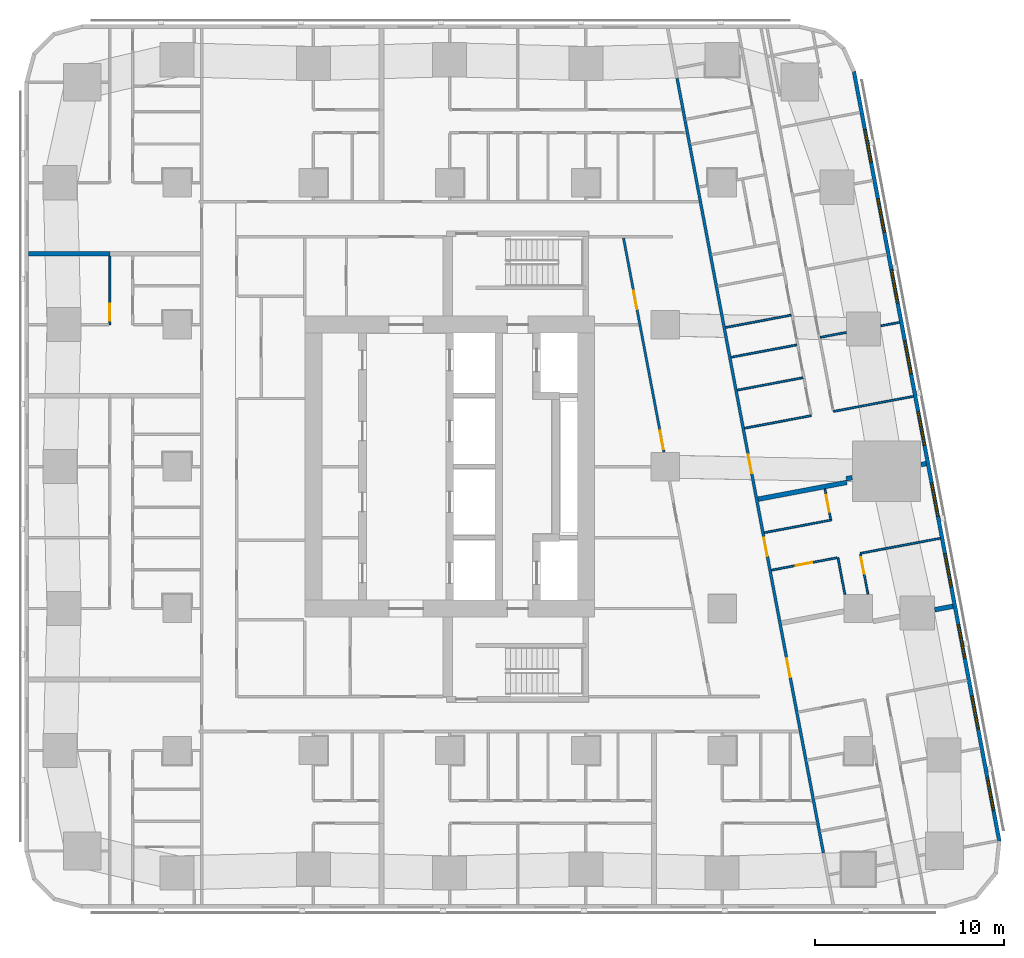
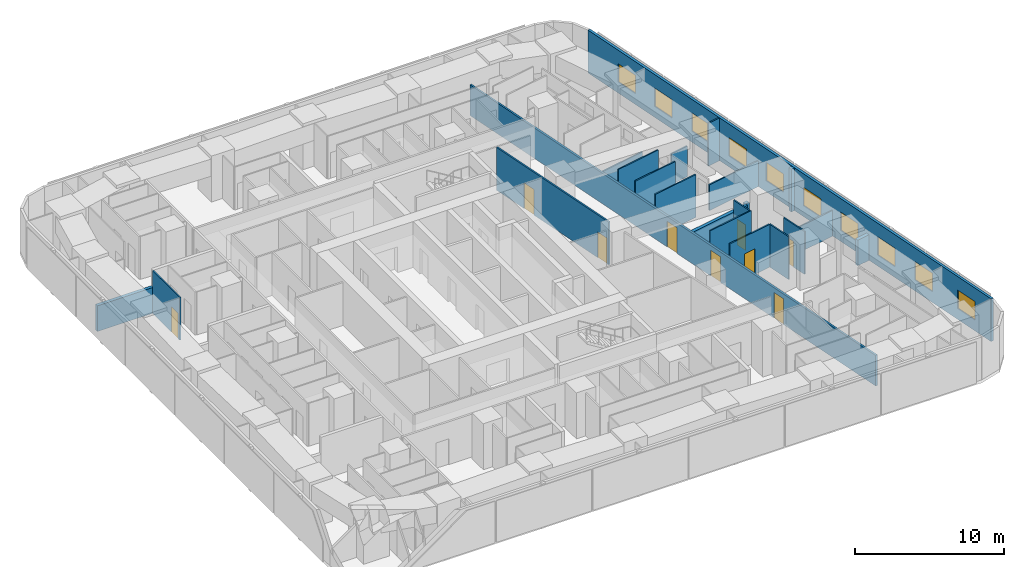
# One storey, part 8 of 15: 22 walls, 10 windows, 9 doors, 19 openings.
"""IFC4 building model written with IfcOpenShell, lengths in metres."""

import ifcopenshell
import ifcopenshell.guid

model = None  # the IFC model being written
_history = None  # IfcOwnerHistory: only IFC2X3 demands one
_inside = {}  # id of a spatial element -> (the spatial element, [elements in it])
_under = {}  # id of a project, library or spatial element -> (it, [spatial elements below it])
_declared = {}  # id of a project -> (the project, [libraries it declares])
_typed = {}  # id of a type object -> (the type object, [elements of that type])
_made_of = {}  # id of a material, layer set ... -> (it, [elements and type objects made of it])


def new_model(schema):
    """Start an empty IFC model of exactly this schema.

    Asked for "IFC4X3", IfcOpenShell would pick the latest addendum, in which some entities
    have other attributes; the version numbers below select the first issue.
    IFC2X3 requires an IfcOwnerHistory on every rooted entity: one is made here for all.
    """
    global model, _history
    if schema == "IFC4X3":
        model = ifcopenshell.file(schema_version=(4, 3, 0, 0))
    else:
        model = ifcopenshell.file(schema=schema)
    _inside.clear()
    _under.clear()
    _declared.clear()
    _typed.clear()
    _made_of.clear()
    _history = None
    if model.schema == "IFC2X3":
        org = make("IfcOrganization", Name="unknown")
        user = make(
            "IfcPersonAndOrganization",
            ThePerson=make("IfcPerson", FamilyName="unknown"),
            TheOrganization=org,
        )
        app = make(
            "IfcApplication",
            ApplicationDeveloper=org,
            Version="unknown",
            ApplicationFullName="unknown",
            ApplicationIdentifier="unknown",
        )
        _history = make(
            "IfcOwnerHistory",
            OwningUser=user,
            OwningApplication=app,
            ChangeAction="ADDED",
            CreationDate=0,
        )
    return model


def make(cls, **values):
    """One entity of the class cls with the attributes given. An attribute that is None is left unset."""
    return model.create_entity(
        cls, **{name: value for name, value in values.items() if value is not None}
    )


def rooted(cls, **values):
    """An entity with a GlobalId (a new one), such as an element, a storey or a relation."""
    return make(cls, GlobalId=ifcopenshell.guid.new(), OwnerHistory=_history, **values)


def si_unit(unit_type, name, prefix=None):
    """IfcSIUnit, for example si_unit("LENGTHUNIT", "METRE", prefix="MILLI")."""
    return make("IfcSIUnit", UnitType=unit_type, Prefix=prefix, Name=name)


def assignment(units):
    """IfcUnitAssignment: the units of a project."""
    return None if units is None else make("IfcUnitAssignment", Units=units)


def point(xyz):
    """IfcCartesianPoint."""
    return None if xyz is None else make("IfcCartesianPoint", Coordinates=xyz)


def direction(xyz):
    """IfcDirection."""
    return None if xyz is None else make("IfcDirection", DirectionRatios=xyz)


def frame(location, z_axis=None, x_axis=None):
    """IfcAxis2Placement3D, a coordinate frame: its origin and axes. An axis left out is left unset."""
    return make(
        "IfcAxis2Placement3D",
        Location=point(location),
        Axis=direction(z_axis),
        RefDirection=direction(x_axis),
    )


def frame_2d(location, x_axis=None):
    """IfcAxis2Placement2D, a coordinate frame in the plane: its origin and x axis."""
    return make(
        "IfcAxis2Placement2D", Location=point(location), RefDirection=direction(x_axis)
    )


def origin():
    """The frame at (0, 0, 0) with its axes left unset."""
    return frame((0.0, 0.0, 0.0))


def place(relative_to, where):
    """IfcLocalPlacement: puts the frame where relative to a parent placement (None: the world)."""
    return make(
        "IfcLocalPlacement", PlacementRelTo=relative_to, RelativePlacement=where
    )


def context(
    kind, dimensions, precision=None, world=None, true_north=None, identifier=None
):
    """IfcGeometricRepresentationContext, for example the 3D "Model" context."""
    return make(
        "IfcGeometricRepresentationContext",
        ContextIdentifier=identifier,
        ContextType=kind,
        CoordinateSpaceDimension=dimensions,
        Precision=precision,
        WorldCoordinateSystem=world,
        TrueNorth=true_north,
    )


def subcontext(parent, identifier, kind, view, scale=None):
    """IfcGeometricRepresentationSubContext, for example "Body" below "Model"."""
    return make(
        "IfcGeometricRepresentationSubContext",
        ContextIdentifier=identifier,
        ContextType=kind,
        ParentContext=parent,
        TargetScale=scale,
        TargetView=view,
    )


def project(units=None, contexts=None):
    """IfcProject with its units and contexts."""
    return rooted(
        "IfcProject",
        Name="project",
        RepresentationContexts=contexts,
        UnitsInContext=assignment(units),
    )


def spatial(cls, under=None, at=None, **own):
    """A site, building, storey or space (cls), placed at a placement, below another one or the project."""
    s = rooted(cls, ObjectPlacement=at, **own)
    if under is not None:
        _under.setdefault(under.id(), (under, []))[1].append(s)
    return s


def profile(cls, at=None, kind="AREA", **sizes):
    """A parametric profile (cls). Its sizes go by their IFC names, for example OverallWidth=200.0."""
    return make(cls, ProfileType=kind, Position=at, **sizes)


def rectangle(**sizes):
    """IfcRectangleProfileDef."""
    return profile("IfcRectangleProfileDef", **sizes)


def extrude(swept, where, along, depth):
    """IfcExtrudedAreaSolid: the profile swept, set in the frame where, extruded along a direction by depth."""
    return make(
        "IfcExtrudedAreaSolid",
        SweptArea=swept,
        Position=where,
        ExtrudedDirection=direction(along),
        Depth=depth,
    )


def shape(context_of_items, identifier, shape_type, items):
    """IfcShapeRepresentation: the items that make up one representation, for example the "Body"."""
    return make(
        "IfcShapeRepresentation",
        ContextOfItems=context_of_items,
        RepresentationIdentifier=identifier,
        RepresentationType=shape_type,
        Items=items,
    )


def material(Name=None, Category=None):
    """IfcMaterial."""
    return make("IfcMaterial", Name=Name, Category=Category)


def layer(
    of_material, thickness, ventilated=None, Name=None, Category=None, Priority=None
):
    """IfcMaterialLayer: one layer of a wall or slab, of a material (None: an air gap)."""
    return make(
        "IfcMaterialLayer",
        Material=of_material,
        LayerThickness=thickness,
        IsVentilated=ventilated,
        Name=Name,
        Category=Category,
        Priority=Priority,
    )


def layer_set(layers, Name=None):
    """IfcMaterialLayerSet."""
    return make("IfcMaterialLayerSet", MaterialLayers=layers, LayerSetName=Name)


def made_of(thing, what):
    """Note that an element or type object is made of a material, layer set ...; save() writes the relation."""
    if what is not None:
        _made_of.setdefault(what.id(), (what, []))[1].append(thing)
    return thing


def type_object(cls, material=None, **own):
    """A type object (cls), such as IfcWallType, which elements share."""
    return made_of(rooted(cls, **own), material)


def element(
    cls,
    number,
    at=None,
    inside=None,
    cuts=None,
    type_object=None,
    material=None,
    context=None,
    identifier="Body",
    shape_type=None,
    held_by="IfcProductDefinitionShape",
    body=None,
    shapes=None,
    **own,
):
    """One element of the class cls, such as IfcWall. Its Tag is "e" and its number.

    at: its placement. inside: the storey or other place that contains it. cuts: it is an
    opening in that element (IfcRelVoidsElement). A single representation is given by context,
    identifier, shape_type and body (its items); several are given by shapes. held_by: the class
    of the entity that holds the representations. save() writes the other relations.
    """
    e = rooted(cls, Tag="e%d" % number, ObjectPlacement=at, **own)
    if body is not None:
        shapes = [shape(context, identifier, shape_type, body)]
    if shapes is not None:
        e.Representation = make(held_by, Representations=shapes)
    if inside is not None:
        _inside.setdefault(inside.id(), (inside, []))[1].append(e)
    if cuts is not None:
        rooted(
            "IfcRelVoidsElement", RelatingBuildingElement=cuts, RelatedOpeningElement=e
        )
    if type_object is not None:
        _typed.setdefault(type_object.id(), (type_object, []))[1].append(e)
    return made_of(e, material)


def fill(opening, filler):
    """IfcRelFillsElement: the door or window that sits in an opening."""
    return rooted(
        "IfcRelFillsElement",
        RelatingOpeningElement=opening,
        RelatedBuildingElement=filler,
    )


def aggregate(whole, parts):
    """IfcRelAggregates: a whole, such as a stair, and the parts it consists of."""
    return rooted("IfcRelAggregates", RelatingObject=whole, RelatedObjects=parts)


def save(model, path):
    """Write the relations noted so far, then the file.

    IfcRelAggregates (storeys below a building ...), IfcRelContainedInSpatialStructure (elements
    in a storey), IfcRelDefinesByType, IfcRelAssociatesMaterial and IfcRelDeclares: one each for
    every whole, place, type object, material and project.
    """
    for whole, parts in _under.values():
        aggregate(whole, parts)
    for where, things in _inside.values():
        rooted(
            "IfcRelContainedInSpatialStructure",
            RelatedElements=things,
            RelatingStructure=where,
        )
    for kind, things in _typed.values():
        rooted("IfcRelDefinesByType", RelatedObjects=things, RelatingType=kind)
    for what, things in _made_of.values():
        rooted("IfcRelAssociatesMaterial", RelatedObjects=things, RelatingMaterial=what)
    for by, libraries in _declared.values():
        rooted("IfcRelDeclares", RelatingContext=by, RelatedDefinitions=libraries)
    model.write(path)


model = new_model("IFC4")

# Units and contexts
model_context = context("Model", 3, precision=1e-05, world=origin(), true_north=direction((0.0, 1.0)))
body_context = subcontext(model_context, "Body", "Model", "MODEL_VIEW")
ifc_project = project(units=[si_unit("LENGTHUNIT", "METRE"), si_unit("AREAUNIT", "SQUARE_METRE"), si_unit("VOLUMEUNIT", "CUBIC_METRE"), si_unit("PLANEANGLEUNIT", "RADIAN"), si_unit("MASSUNIT", "GRAM", prefix="KILO")], contexts=[model_context])

# Site, building, storey
site_placement = place(None, origin())
site = spatial("IfcSite", under=ifc_project, at=site_placement, CompositionType="ELEMENT")
building_placement = place(site_placement, origin())
building = spatial("IfcBuilding", under=site, at=building_placement, Name="Sheger Commons Tower", CompositionType="ELEMENT")
storey_placement = place(building_placement, frame((0.0, 0.0, 139.550048828125)))
storey = spatial("IfcBuildingStorey", under=building, at=storey_placement, Name="L35", CompositionType="ELEMENT", Elevation=139.550048828125)

# Wall, openings, doors
ifc_material_1 = material(Name="Hollow concrete block masonry, skimmed both sides", Category="masonry")
ifc_layer_1 = layer(ifc_material_1, 0.14990234375)
ifc_layer_set_1 = layer_set([ifc_layer_1], Name="CORRIDOR WALL 150")
wall_type_1 = type_object("IfcWallType", Name="CORRIDOR WALL 150", PredefinedType="SOLIDWALL", material=ifc_layer_set_1)
wall_1_placement = place(storey_placement, frame((33.623046875, 43.02197265625, 0.0), z_axis=(0.0, 0.0, 1.0), x_axis=(0.185596841028, -0.98262597798, 0.0)))
wall_1 = element("IfcWall", 1, at=wall_1_placement, inside=storey, type_object=wall_type_1, Name="Corridor wall L35", PredefinedType="SOLIDWALL", context=body_context, shape_type="SweptSolid", body=[
    extrude(rectangle(XDim=41.659912109375, YDim=0.14990234375, at=frame_2d((20.830078125, 0.0))), origin(), (0.0, 0.0, 1.0), 2.5),
])
opening_1_placement = place(wall_1_placement, frame((20.241943359375, 0.0, 0.0)))
opening_1 = element("IfcOpeningElement", 2, at=opening_1_placement, cuts=wall_1, Name="Opening D1", PredefinedType="OPENING", context=body_context, shape_type="SweptSolid", body=[
    extrude(rectangle(XDim=1.0, YDim=2.10009765625, at=frame_2d((0.5, 1.050048828125))), frame((0.0, 0.0849609375, 0.0), z_axis=(0.0, -1.0, 0.0), x_axis=(1.0, 0.0, 0.0)), (0.0, 0.0, 1.0), 0.169921875),
])
opening_2_placement = place(wall_1_placement, frame((24.714111328125, 0.0, 0.0)))
opening_2 = element("IfcOpeningElement", 3, at=opening_2_placement, cuts=wall_1, Name="Opening D1", PredefinedType="OPENING", context=body_context, shape_type="SweptSolid", body=[
    extrude(rectangle(XDim=1.0, YDim=2.10009765625, at=frame_2d((0.5, 1.050048828125))), frame((0.0, 0.0849609375, 0.0), z_axis=(0.0, -1.0, 0.0), x_axis=(1.0, 0.0, 0.0)), (0.0, 0.0, 1.0), 0.169921875),
])
opening_3_placement = place(wall_1_placement, frame((31.2060546875, 0.0, 0.0)))
opening_3 = element("IfcOpeningElement", 4, at=opening_3_placement, cuts=wall_1, Name="Opening D1", PredefinedType="OPENING", context=body_context, shape_type="SweptSolid", body=[
    extrude(rectangle(XDim=1.0, YDim=2.10009765625, at=frame_2d((0.5, 1.050048828125))), frame((0.0, 0.0849609375, 0.0), z_axis=(0.0, -1.0, 0.0), x_axis=(1.0, 0.0, 0.0)), (0.0, 0.0, 1.0), 0.169921875),
])
ifc_material_2 = material(Name="Steel door set, fire rated", Category="steel")
door_type_1 = type_object("IfcDoorType", Name="FLAT ENTRANCE DOOR 1000x2100", OperationType="NOTDEFINED", PredefinedType="DOOR", material=ifc_material_2)
door_1_placement = place(opening_1_placement, origin())
door_1 = element("IfcDoor", 5, at=door_1_placement, inside=storey, type_object=door_type_1, Name="Flat entrance door", OperationType="SINGLE_SWING_RIGHT", OverallHeight=2.10009765625, OverallWidth=1.0, PredefinedType="DOOR", context=body_context, shape_type="SweptSolid", body=[
    extrude(rectangle(XDim=1.0, YDim=2.10009765625, at=frame_2d((0.5, 1.050048828125))), frame((0.0, 0.02490234375, 0.0), z_axis=(0.0, -1.0, 0.0), x_axis=(1.0, 0.0, 0.0)), (0.0, 0.0, 1.0), 0.050048828125),
])
fill(opening_1, door_1)
door_2_placement = place(opening_2_placement, origin())
door_2 = element("IfcDoor", 6, at=door_2_placement, inside=storey, type_object=door_type_1, Name="Flat entrance door", OperationType="SINGLE_SWING_LEFT", OverallHeight=2.10009765625, OverallWidth=1.0, PredefinedType="DOOR", context=body_context, shape_type="SweptSolid", body=[
    extrude(rectangle(XDim=1.0, YDim=2.10009765625, at=frame_2d((0.5, 1.050048828125))), frame((0.0, 0.02490234375, 0.0), z_axis=(0.0, -1.0, 0.0), x_axis=(1.0, 0.0, 0.0)), (0.0, 0.0, 1.0), 0.050048828125),
])
fill(opening_2, door_2)
door_3_placement = place(opening_3_placement, origin())
door_3 = element("IfcDoor", 7, at=door_3_placement, inside=storey, type_object=door_type_1, Name="Flat entrance door", OperationType="SINGLE_SWING_LEFT", OverallHeight=2.10009765625, OverallWidth=1.0, PredefinedType="DOOR", context=body_context, shape_type="SweptSolid", body=[
    extrude(rectangle(XDim=1.0, YDim=2.10009765625, at=frame_2d((0.5, 1.050048828125))), frame((0.0, 0.02490234375, 0.0), z_axis=(0.0, -1.0, 0.0), x_axis=(1.0, 0.0, 0.0)), (0.0, 0.0, 1.0), 0.050048828125),
])
fill(opening_3, door_3)

# Walls
ifc_material_3 = material(Name="Dense concrete block masonry, plastered both sides (separating wall between flats)", Category="masonry")
ifc_layer_2 = layer(ifc_material_3, 0.25)
ifc_layer_set_2 = layer_set([ifc_layer_2], Name="DEMISING WALL 250")
wall_type_2 = type_object("IfcWallType", Name="DEMISING WALL 250", PredefinedType="SOLIDWALL", material=ifc_layer_set_2)
wall_2_placement = place(storey_placement, frame((-0.64990234375, 33.75, 0.0), z_axis=(0.0, 0.0, 1.0), x_axis=(1.0, 0.0, 0.0)))
element("IfcWall", 8, at=wall_2_placement, inside=storey, type_object=wall_type_2, Name="Demising wall L35", PredefinedType="SOLIDWALL", context=body_context, shape_type="SweptSolid", body=[
    extrude(rectangle(XDim=4.2998046875, YDim=0.25, at=frame_2d((2.14990234375, 0.0))), origin(), (0.0, 0.0, 1.0), 2.099853515625),
])
wall_3_placement = place(storey_placement, frame((46.781982421875, 22.656982421875, 0.0), z_axis=(0.0, 0.0, 1.0), x_axis=(-0.982104607121, -0.188336243648, 0.0)))
element("IfcWall", 9, at=wall_3_placement, inside=storey, type_object=wall_type_2, Name="Demising wall L35", PredefinedType="SOLIDWALL", context=body_context, shape_type="SweptSolid", body=[
    extrude(rectangle(XDim=0.265625, YDim=0.25, at=frame_2d((0.1328125, 0.0))), origin(), (0.0, 0.0, 1.0), 3.5),
])
wall_4_placement = place(storey_placement, frame((42.873046875, 21.91796875, 0.0), z_axis=(0.0, 0.0, 1.0), x_axis=(-0.982431406936, -0.186624035603, 0.0)))
element("IfcWall", 10, at=wall_4_placement, inside=storey, type_object=wall_type_2, Name="Demising wall L35", PredefinedType="SOLIDWALL", context=body_context, shape_type="SweptSolid", body=[
    extrude(rectangle(XDim=0.32177734375, YDim=0.25, at=frame_2d((0.160888671875, 0.0))), origin(), (0.0, 0.0, 1.0), 2.5),
])
wall_5_placement = place(storey_placement, frame((42.593017578125, 21.6650390625, 0.0), z_axis=(0.0, 0.0, 1.0), x_axis=(-0.982635807605, -0.185544791394, 0.0)))
element("IfcWall", 11, at=wall_5_placement, inside=storey, type_object=wall_type_2, Name="Demising wall L35", PredefinedType="SOLIDWALL", context=body_context, shape_type="SweptSolid", body=[
    extrude(rectangle(XDim=4.775146484375, YDim=0.25, at=frame_2d((2.3876953125, 0.0))), origin(), (0.0, 0.0, 1.0), 2.5),
])
wall_6_placement = place(storey_placement, frame((48.2060546875, 15.1201171875, 0.0), z_axis=(0.0, 0.0, 1.0), x_axis=(-0.982576361834, -0.185859337043, 0.0)))
element("IfcWall", 12, at=wall_6_placement, inside=storey, type_object=wall_type_2, Name="Demising wall L35", PredefinedType="SOLIDWALL", context=body_context, shape_type="SweptSolid", body=[
    extrude(rectangle(XDim=0.985107421875, YDim=0.25, at=frame_2d((0.49267578125, 0.0))), origin(), (0.0, 0.0, 1.0), 2.099853515625),
])

# Wall, openings, windows
ifc_material_4 = material(Name="Rendered concrete block masonry, dark grey", Category="masonry")
ifc_layer_3 = layer(ifc_material_4, 0.199951171875)
ifc_layer_set_3 = layer_set([ifc_layer_3], Name="FACADE WALL 200")
wall_type_3 = type_object("IfcWallType", Name="FACADE WALL 200", PredefinedType="SOLIDWALL", material=ifc_layer_set_3)
wall_7_placement = place(storey_placement, frame((50.653076171875, 2.702880859375, 0.0), z_axis=(0.0, 0.0, 1.0), x_axis=(-0.185612026696, 0.982623109613, 0.0)))
wall_7 = element("IfcWall", 13, at=wall_7_placement, inside=storey, type_object=wall_type_3, Name="Facade wall L35", PredefinedType="SOLIDWALL", context=body_context, shape_type="SweptSolid", body=[
    extrude(rectangle(XDim=41.393310546875, YDim=0.199951171875, at=frame_2d((20.69677734375, 0.0))), origin(), (0.0, 0.0, 1.0), 3.5),
])
opening_4_placement = place(wall_7_placement, frame((1.633056640625, 0.0, 0.89990234375)))
opening_4 = element("IfcOpeningElement", 14, at=opening_4_placement, cuts=wall_7, Name="Opening W2", PredefinedType="OPENING", context=body_context, shape_type="SweptSolid", body=[
    extrude(rectangle(XDim=1.800048828125, YDim=1.5, at=frame_2d((0.89990234375, 0.75))), frame((0.0, 0.10986328125, 0.0), z_axis=(0.0, -1.0, 0.0), x_axis=(1.0, 0.0, 0.0)), (0.0, 0.0, 1.0), 0.219970703125),
])
opening_5_placement = place(wall_7_placement, frame((6.031982421875, 0.0, 0.89990234375)))
opening_5 = element("IfcOpeningElement", 15, at=opening_5_placement, cuts=wall_7, Name="Opening W2", PredefinedType="OPENING", context=body_context, shape_type="SweptSolid", body=[
    extrude(rectangle(XDim=1.800048828125, YDim=1.5, at=frame_2d((0.89990234375, 0.75))), frame((0.0, 0.10986328125, 0.0), z_axis=(0.0, -1.0, 0.0), x_axis=(1.0, 0.0, 0.0)), (0.0, 0.0, 1.0), 0.219970703125),
])
opening_6_placement = place(wall_7_placement, frame((9.847900390625, 0.0, 0.89990234375)))
opening_6 = element("IfcOpeningElement", 16, at=opening_6_placement, cuts=wall_7, Name="Opening W2", PredefinedType="OPENING", context=body_context, shape_type="SweptSolid", body=[
    extrude(rectangle(XDim=1.800048828125, YDim=1.5, at=frame_2d((0.89990234375, 0.75))), frame((0.0, 0.10986328125, 0.0), z_axis=(0.0, -1.0, 0.0), x_axis=(1.0, 0.0, 0.0)), (0.0, 0.0, 1.0), 0.219970703125),
])
opening_7_placement = place(wall_7_placement, frame((13.6640625, 0.0, 0.89990234375)))
opening_7 = element("IfcOpeningElement", 17, at=opening_7_placement, cuts=wall_7, Name="Opening W2", PredefinedType="OPENING", context=body_context, shape_type="SweptSolid", body=[
    extrude(rectangle(XDim=1.800048828125, YDim=1.5, at=frame_2d((0.89990234375, 0.75))), frame((0.0, 0.10986328125, 0.0), z_axis=(0.0, -1.0, 0.0), x_axis=(1.0, 0.0, 0.0)), (0.0, 0.0, 1.0), 0.219970703125),
])
opening_8_placement = place(wall_7_placement, frame((17.48095703125, 0.0, 0.89990234375)))
opening_8 = element("IfcOpeningElement", 18, at=opening_8_placement, cuts=wall_7, Name="Opening W2", PredefinedType="OPENING", context=body_context, shape_type="SweptSolid", body=[
    extrude(rectangle(XDim=1.800048828125, YDim=1.5, at=frame_2d((0.89990234375, 0.75))), frame((0.0, 0.10986328125, 0.0), z_axis=(0.0, -1.0, 0.0), x_axis=(1.0, 0.0, 0.0)), (0.0, 0.0, 1.0), 0.219970703125),
])
opening_9_placement = place(wall_7_placement, frame((21.297119140625, 0.0, 0.89990234375)))
opening_9 = element("IfcOpeningElement", 19, at=opening_9_placement, cuts=wall_7, Name="Opening W2", PredefinedType="OPENING", context=body_context, shape_type="SweptSolid", body=[
    extrude(rectangle(XDim=1.800048828125, YDim=1.5, at=frame_2d((0.89990234375, 0.75))), frame((0.0, 0.10986328125, 0.0), z_axis=(0.0, -1.0, 0.0), x_axis=(1.0, 0.0, 0.0)), (0.0, 0.0, 1.0), 0.219970703125),
])
opening_10_placement = place(wall_7_placement, frame((25.113037109375, 0.0, 0.89990234375)))
opening_10 = element("IfcOpeningElement", 20, at=opening_10_placement, cuts=wall_7, Name="Opening W2", PredefinedType="OPENING", context=body_context, shape_type="SweptSolid", body=[
    extrude(rectangle(XDim=1.800048828125, YDim=1.5, at=frame_2d((0.89990234375, 0.75))), frame((0.0, 0.10986328125, 0.0), z_axis=(0.0, -1.0, 0.0), x_axis=(1.0, 0.0, 0.0)), (0.0, 0.0, 1.0), 0.219970703125),
])
opening_11_placement = place(wall_7_placement, frame((28.929931640625, 0.0, 0.89990234375)))
opening_11 = element("IfcOpeningElement", 21, at=opening_11_placement, cuts=wall_7, Name="Opening W2", PredefinedType="OPENING", context=body_context, shape_type="SweptSolid", body=[
    extrude(rectangle(XDim=1.800048828125, YDim=1.5, at=frame_2d((0.89990234375, 0.75))), frame((0.0, 0.10986328125, 0.0), z_axis=(0.0, -1.0, 0.0), x_axis=(1.0, 0.0, 0.0)), (0.0, 0.0, 1.0), 0.219970703125),
])
opening_12_placement = place(wall_7_placement, frame((32.74609375, 0.0, 0.89990234375)))
opening_12 = element("IfcOpeningElement", 22, at=opening_12_placement, cuts=wall_7, Name="Opening W2", PredefinedType="OPENING", context=body_context, shape_type="SweptSolid", body=[
    extrude(rectangle(XDim=1.800048828125, YDim=1.5, at=frame_2d((0.89990234375, 0.75))), frame((0.0, 0.10986328125, 0.0), z_axis=(0.0, -1.0, 0.0), x_axis=(1.0, 0.0, 0.0)), (0.0, 0.0, 1.0), 0.219970703125),
])
opening_13_placement = place(wall_7_placement, frame((36.48095703125, 0.0, 0.89990234375)))
opening_13 = element("IfcOpeningElement", 23, at=opening_13_placement, cuts=wall_7, Name="Opening W2", PredefinedType="OPENING", context=body_context, shape_type="SweptSolid", body=[
    extrude(rectangle(XDim=1.800048828125, YDim=1.5, at=frame_2d((0.89990234375, 0.75))), frame((0.0, 0.10986328125, 0.0), z_axis=(0.0, -1.0, 0.0), x_axis=(1.0, 0.0, 0.0)), (0.0, 0.0, 1.0), 0.219970703125),
])
ifc_material_5 = material(Name="Black aluminium frame, dark tinted double glazing", Category="aluminium")
window_type = type_object("IfcWindowType", Name="WINDOW W2 1800x1500", PartitioningType="SINGLE_PANEL", PredefinedType="WINDOW", material=ifc_material_5)
window_1_placement = place(opening_4_placement, origin())
window_1 = element("IfcWindow", 24, at=window_1_placement, inside=storey, type_object=window_type, Name="Window W2 1800X1500", OverallHeight=1.5, OverallWidth=1.800048828125, PartitioningType="SINGLE_PANEL", PredefinedType="WINDOW", context=body_context, shape_type="SweptSolid", body=[
    extrude(rectangle(XDim=1.800048828125, YDim=1.5, at=frame_2d((0.89990234375, 0.75))), frame((0.0, 0.030029296875, 0.0), z_axis=(0.0, -1.0, 0.0), x_axis=(1.0, 0.0, 0.0)), (0.0, 0.0, 1.0), 0.06005859375),
])
fill(opening_4, window_1)
window_2_placement = place(opening_5_placement, origin())
window_2 = element("IfcWindow", 25, at=window_2_placement, inside=storey, type_object=window_type, Name="Window W2 1800X1500", OverallHeight=1.5, OverallWidth=1.800048828125, PartitioningType="SINGLE_PANEL", PredefinedType="WINDOW", context=body_context, shape_type="SweptSolid", body=[
    extrude(rectangle(XDim=1.800048828125, YDim=1.5, at=frame_2d((0.89990234375, 0.75))), frame((0.0, 0.030029296875, 0.0), z_axis=(0.0, -1.0, 0.0), x_axis=(1.0, 0.0, 0.0)), (0.0, 0.0, 1.0), 0.06005859375),
])
fill(opening_5, window_2)
window_3_placement = place(opening_6_placement, origin())
window_3 = element("IfcWindow", 26, at=window_3_placement, inside=storey, type_object=window_type, Name="Window W2 1800X1500", OverallHeight=1.5, OverallWidth=1.800048828125, PartitioningType="SINGLE_PANEL", PredefinedType="WINDOW", context=body_context, shape_type="SweptSolid", body=[
    extrude(rectangle(XDim=1.800048828125, YDim=1.5, at=frame_2d((0.89990234375, 0.75))), frame((0.0, 0.030029296875, 0.0), z_axis=(0.0, -1.0, 0.0), x_axis=(1.0, 0.0, 0.0)), (0.0, 0.0, 1.0), 0.06005859375),
])
fill(opening_6, window_3)
window_4_placement = place(opening_7_placement, origin())
window_4 = element("IfcWindow", 27, at=window_4_placement, inside=storey, type_object=window_type, Name="Window W2 1800X1500", OverallHeight=1.5, OverallWidth=1.800048828125, PartitioningType="SINGLE_PANEL", PredefinedType="WINDOW", context=body_context, shape_type="SweptSolid", body=[
    extrude(rectangle(XDim=1.800048828125, YDim=1.5, at=frame_2d((0.89990234375, 0.75))), frame((0.0, 0.030029296875, 0.0), z_axis=(0.0, -1.0, 0.0), x_axis=(1.0, 0.0, 0.0)), (0.0, 0.0, 1.0), 0.06005859375),
])
fill(opening_7, window_4)
window_5_placement = place(opening_8_placement, origin())
window_5 = element("IfcWindow", 28, at=window_5_placement, inside=storey, type_object=window_type, Name="Window W2 1800X1500", OverallHeight=1.5, OverallWidth=1.800048828125, PartitioningType="SINGLE_PANEL", PredefinedType="WINDOW", context=body_context, shape_type="SweptSolid", body=[
    extrude(rectangle(XDim=1.800048828125, YDim=1.5, at=frame_2d((0.89990234375, 0.75))), frame((0.0, 0.030029296875, 0.0), z_axis=(0.0, -1.0, 0.0), x_axis=(1.0, 0.0, 0.0)), (0.0, 0.0, 1.0), 0.06005859375),
])
fill(opening_8, window_5)
window_6_placement = place(opening_9_placement, origin())
window_6 = element("IfcWindow", 29, at=window_6_placement, inside=storey, type_object=window_type, Name="Window W2 1800X1500", OverallHeight=1.5, OverallWidth=1.800048828125, PartitioningType="SINGLE_PANEL", PredefinedType="WINDOW", context=body_context, shape_type="SweptSolid", body=[
    extrude(rectangle(XDim=1.800048828125, YDim=1.5, at=frame_2d((0.89990234375, 0.75))), frame((0.0, 0.030029296875, 0.0), z_axis=(0.0, -1.0, 0.0), x_axis=(1.0, 0.0, 0.0)), (0.0, 0.0, 1.0), 0.06005859375),
])
fill(opening_9, window_6)
window_7_placement = place(opening_10_placement, origin())
window_7 = element("IfcWindow", 30, at=window_7_placement, inside=storey, type_object=window_type, Name="Window W2 1800X1500", OverallHeight=1.5, OverallWidth=1.800048828125, PartitioningType="SINGLE_PANEL", PredefinedType="WINDOW", context=body_context, shape_type="SweptSolid", body=[
    extrude(rectangle(XDim=1.800048828125, YDim=1.5, at=frame_2d((0.89990234375, 0.75))), frame((0.0, 0.030029296875, 0.0), z_axis=(0.0, -1.0, 0.0), x_axis=(1.0, 0.0, 0.0)), (0.0, 0.0, 1.0), 0.06005859375),
])
fill(opening_10, window_7)
window_8_placement = place(opening_11_placement, origin())
window_8 = element("IfcWindow", 31, at=window_8_placement, inside=storey, type_object=window_type, Name="Window W2 1800X1500", OverallHeight=1.5, OverallWidth=1.800048828125, PartitioningType="SINGLE_PANEL", PredefinedType="WINDOW", context=body_context, shape_type="SweptSolid", body=[
    extrude(rectangle(XDim=1.800048828125, YDim=1.5, at=frame_2d((0.89990234375, 0.75))), frame((0.0, 0.030029296875, 0.0), z_axis=(0.0, -1.0, 0.0), x_axis=(1.0, 0.0, 0.0)), (0.0, 0.0, 1.0), 0.06005859375),
])
fill(opening_11, window_8)
window_9_placement = place(opening_12_placement, origin())
window_9 = element("IfcWindow", 32, at=window_9_placement, inside=storey, type_object=window_type, Name="Window W2 1800X1500", OverallHeight=1.5, OverallWidth=1.800048828125, PartitioningType="SINGLE_PANEL", PredefinedType="WINDOW", context=body_context, shape_type="SweptSolid", body=[
    extrude(rectangle(XDim=1.800048828125, YDim=1.5, at=frame_2d((0.89990234375, 0.75))), frame((0.0, 0.030029296875, 0.0), z_axis=(0.0, -1.0, 0.0), x_axis=(1.0, 0.0, 0.0)), (0.0, 0.0, 1.0), 0.06005859375),
])
fill(opening_12, window_9)
window_10_placement = place(opening_13_placement, origin())
window_10 = element("IfcWindow", 33, at=window_10_placement, inside=storey, type_object=window_type, Name="Window W2 1800X1500", OverallHeight=1.5, OverallWidth=1.800048828125, PartitioningType="SINGLE_PANEL", PredefinedType="WINDOW", context=body_context, shape_type="SweptSolid", body=[
    extrude(rectangle(XDim=1.800048828125, YDim=1.5, at=frame_2d((0.89990234375, 0.75))), frame((0.0, 0.030029296875, 0.0), z_axis=(0.0, -1.0, 0.0), x_axis=(1.0, 0.0, 0.0)), (0.0, 0.0, 1.0), 0.06005859375),
])
fill(opening_13, window_10)

# Wall, opening, door
ifc_material_6 = material(Name="Gypsum board on steel studs", Category="steel")
ifc_layer_4 = layer(ifc_material_6, 0.10009765625)
ifc_layer_set_4 = layer_set([ifc_layer_4], Name="PARTITION 100")
wall_type_4 = type_object("IfcWallType", Name="PARTITION 100", PredefinedType="PARTITIONING", material=ifc_layer_set_4)
wall_8_placement = place(storey_placement, frame((3.64990234375, 30.0, 0.0), z_axis=(0.0, 0.0, 1.0), x_axis=(0.0, 1.0, 0.0)))
wall_8 = element("IfcWall", 34, at=wall_8_placement, inside=storey, type_object=wall_type_4, Name="Partition L35", PredefinedType="PARTITIONING", context=body_context, shape_type="SweptSolid", body=[
    extrude(rectangle(XDim=3.625, YDim=0.10009765625, at=frame_2d((1.8125, 0.0))), origin(), (0.0, 0.0, 1.0), 3.5),
])
opening_14_placement = place(wall_8_placement, frame((0.199951171875, 0.0, 0.0)))
opening_14 = element("IfcOpeningElement", 35, at=opening_14_placement, cuts=wall_8, Name="Opening D2", PredefinedType="OPENING", context=body_context, shape_type="SweptSolid", body=[
    extrude(rectangle(XDim=0.89990234375, YDim=2.10009765625, at=frame_2d((0.449951171875, 1.050048828125))), frame((0.0, 0.06005859375, 0.0), z_axis=(0.0, -1.0, 0.0), x_axis=(1.0, 0.0, 0.0)), (0.0, 0.0, 1.0), 0.1201171875),
])
ifc_material_7 = material(Name="Timber door set", Category="wood")
door_type_2 = type_object("IfcDoorType", Name="INTERNAL DOOR 900x2100", OperationType="NOTDEFINED", PredefinedType="DOOR", material=ifc_material_7)
door_4_placement = place(opening_14_placement, origin())
door_4 = element("IfcDoor", 36, at=door_4_placement, inside=storey, type_object=door_type_2, Name="Main bedroom door", OperationType="SINGLE_SWING_LEFT", OverallHeight=2.10009765625, OverallWidth=0.89990234375, PredefinedType="DOOR", context=body_context, shape_type="SweptSolid", body=[
    extrude(rectangle(XDim=0.89990234375, YDim=2.10009765625, at=frame_2d((0.449951171875, 1.050048828125))), frame((0.0, 0.02490234375, 0.0), z_axis=(0.0, -1.0, 0.0), x_axis=(1.0, 0.0, 0.0)), (0.0, 0.0, 1.0), 0.050048828125),
])
fill(opening_14, door_4)

# Walls
wall_9_placement = place(storey_placement, frame((45.3720703125, 30.12109375, 0.0), z_axis=(0.0, 0.0, 1.0), x_axis=(-0.982708646087, -0.185158626332, 0.0)))
element("IfcWall", 37, at=wall_9_placement, inside=storey, type_object=wall_type_4, Name="Partition L35", PredefinedType="PARTITIONING", context=body_context, shape_type="SweptSolid", body=[
    extrude(rectangle(XDim=0.99951171875, YDim=0.10009765625, at=frame_2d((0.499755859375, 0.0))), origin(), (0.0, 0.0, 1.0), 3.5),
])
wall_10_placement = place(storey_placement, frame((42.570068359375, 29.592041015625, 0.0), z_axis=(0.0, 0.0, 1.0), x_axis=(-0.982562488259, -0.185932667021, 0.0)))
element("IfcWall", 38, at=wall_10_placement, inside=storey, type_object=wall_type_4, Name="Partition L35", PredefinedType="PARTITIONING", context=body_context, shape_type="SweptSolid", body=[
    extrude(rectangle(XDim=1.3984375, YDim=0.10009765625, at=frame_2d((0.69921875, 0.0))), origin(), (0.0, 0.0, 1.0), 2.5),
])
wall_11_placement = place(storey_placement, frame((46.110107421875, 26.212890625, 0.0), z_axis=(0.0, 0.0, 1.0), x_axis=(-0.982633535512, -0.185556823879, 0.0)))
element("IfcWall", 39, at=wall_11_placement, inside=storey, type_object=wall_type_4, Name="Partition L35", PredefinedType="PARTITIONING", context=body_context, shape_type="SweptSolid", body=[
    extrude(rectangle(XDim=4.2998046875, YDim=0.10009765625, at=frame_2d((2.14990234375, 0.0))), origin(), (0.0, 0.0, 1.0), 2.099853515625),
])
wall_12_placement = place(storey_placement, frame((39.947998046875, 28.931884765625, 0.0), z_axis=(0.0, 0.0, 1.0), x_axis=(-0.98265117712, -0.185463376723, 0.0)))
element("IfcWall", 40, at=wall_12_placement, inside=storey, type_object=wall_type_4, Name="Partition L35", PredefinedType="PARTITIONING", context=body_context, shape_type="SweptSolid", body=[
    extrude(rectangle(XDim=3.525390625, YDim=0.10009765625, at=frame_2d((1.7626953125, 0.0))), origin(), (0.0, 0.0, 1.0), 3.5),
])
wall_13_placement = place(storey_placement, frame((40.7060546875, 25.19189453125, 0.0), z_axis=(0.0, 0.0, 1.0), x_axis=(-0.982610675728, -0.185677839134, 0.0)))
element("IfcWall", 41, at=wall_13_placement, inside=storey, type_object=wall_type_4, Name="Partition L35", PredefinedType="PARTITIONING", context=body_context, shape_type="SweptSolid", body=[
    extrude(rectangle(XDim=3.5751953125, YDim=0.10009765625, at=frame_2d((1.78759765625, 0.0))), origin(), (0.0, 0.0, 1.0), 3.5),
])
wall_14_placement = place(storey_placement, frame((40.27587890625, 27.197021484375, 0.0), z_axis=(0.0, 0.0, 1.0), x_axis=(-0.982636169624, -0.185542874149, 0.0)))
element("IfcWall", 42, at=wall_14_placement, inside=storey, type_object=wall_type_4, Name="Partition L35", PredefinedType="PARTITIONING", context=body_context, shape_type="SweptSolid", body=[
    extrude(rectangle(XDim=3.525146484375, YDim=0.10009765625, at=frame_2d((1.7626953125, 0.0))), origin(), (0.0, 0.0, 1.0), 3.5),
])
wall_15_placement = place(storey_placement, frame((39.65087890625, 30.50390625, 0.0), z_axis=(0.0, 0.0, 1.0), x_axis=(-0.98263926043, -0.185526504472, 0.0)))
element("IfcWall", 43, at=wall_15_placement, inside=storey, type_object=wall_type_4, Name="Partition L35", PredefinedType="PARTITIONING", context=body_context, shape_type="SweptSolid", body=[
    extrude(rectangle(XDim=3.524169921875, YDim=0.10009765625, at=frame_2d((1.76220703125, 0.0))), origin(), (0.0, 0.0, 1.0), 2.5),
])

# Wall, opening, door
wall_16_placement = place(storey_placement, frame((41.43701171875, 21.319091796875, 0.0), z_axis=(0.0, 0.0, 1.0), x_axis=(0.185793689589, -0.982588777113, 0.0)))
wall_16 = element("IfcWall", 44, at=wall_16_placement, inside=storey, type_object=wall_type_4, Name="Partition L35", PredefinedType="PARTITIONING", context=body_context, shape_type="SweptSolid", body=[
    extrude(rectangle(XDim=1.62548828125, YDim=0.10009765625, at=frame_2d((0.812744140625, 0.0))), origin(), (0.0, 0.0, 1.0), 3.5),
])
opening_15_placement = place(wall_16_placement, frame((0.324951171875, 0.0, 0.0)))
opening_15 = element("IfcOpeningElement", 45, at=opening_15_placement, cuts=wall_16, Name="Opening D2", PredefinedType="OPENING", context=body_context, shape_type="SweptSolid", body=[
    extrude(rectangle(XDim=0.89990234375, YDim=2.10009765625, at=frame_2d((0.449951171875, 1.050048828125))), frame((0.0, 0.06005859375, 0.0), z_axis=(0.0, -1.0, 0.0), x_axis=(1.0, 0.0, 0.0)), (0.0, 0.0, 1.0), 0.1201171875),
])
door_5_placement = place(opening_15_placement, origin())
door_5 = element("IfcDoor", 46, at=door_5_placement, inside=storey, type_object=door_type_2, Name="Shower room door", OperationType="SINGLE_SWING_RIGHT", OverallHeight=2.10009765625, OverallWidth=0.89990234375, PredefinedType="DOOR", context=body_context, shape_type="SweptSolid", body=[
    extrude(rectangle(XDim=0.89990234375, YDim=2.10009765625, at=frame_2d((0.449951171875, 1.050048828125))), frame((0.0, 0.02490234375, 0.0), z_axis=(0.0, -1.0, 0.0), x_axis=(1.0, 0.0, 0.0)), (0.0, 0.0, 1.0), 0.050048828125),
])
fill(opening_15, door_5)

# Wall
wall_17_placement = place(storey_placement, frame((41.798095703125, 19.681884765625, 0.0), z_axis=(0.0, 0.0, 1.0), x_axis=(-0.982681091817, -0.185304807776, 0.0)))
element("IfcWall", 47, at=wall_17_placement, inside=storey, type_object=wall_type_4, Name="Partition L35", PredefinedType="PARTITIONING", context=body_context, shape_type="SweptSolid", body=[
    extrude(rectangle(XDim=3.625732421875, YDim=0.10009765625, at=frame_2d((1.81298828125, 0.0))), origin(), (0.0, 0.0, 1.0), 3.5),
])

# Wall, opening, door
wall_18_placement = place(storey_placement, frame((43.31103515625, 17.864990234375, 0.0), z_axis=(0.0, 0.0, 1.0), x_axis=(0.185760825203, -0.982594990736, 0.0)))
wall_18 = element("IfcWall", 48, at=wall_18_placement, inside=storey, type_object=wall_type_4, Name="Partition L35", PredefinedType="PARTITIONING", context=body_context, shape_type="SweptSolid", body=[
    extrude(rectangle(XDim=2.142333984375, YDim=0.10009765625, at=frame_2d((1.0712890625, 0.0))), origin(), (0.0, 0.0, 1.0), 3.5),
])
opening_16_placement = place(wall_18_placement, frame((0.14990234375, 0.0, 0.0)))
opening_16 = element("IfcOpeningElement", 49, at=opening_16_placement, cuts=wall_18, Name="Opening D2", PredefinedType="OPENING", context=body_context, shape_type="SweptSolid", body=[
    extrude(rectangle(XDim=0.89990234375, YDim=2.10009765625, at=frame_2d((0.449951171875, 1.050048828125))), frame((0.0, 0.06005859375, 0.0), z_axis=(0.0, -1.0, 0.0), x_axis=(1.0, 0.0, 0.0)), (0.0, 0.0, 1.0), 0.1201171875),
])
door_6_placement = place(opening_16_placement, origin())
door_6 = element("IfcDoor", 50, at=door_6_placement, inside=storey, type_object=door_type_2, Name="Main bedroom door", OperationType="SINGLE_SWING_LEFT", OverallHeight=2.10009765625, OverallWidth=0.89990234375, PredefinedType="DOOR", context=body_context, shape_type="SweptSolid", body=[
    extrude(rectangle(XDim=0.89990234375, YDim=2.10009765625, at=frame_2d((0.449951171875, 1.050048828125))), frame((0.0, 0.02490234375, 0.0), z_axis=(0.0, -1.0, 0.0), x_axis=(1.0, 0.0, 0.0)), (0.0, 0.0, 1.0), 0.050048828125),
])
fill(opening_16, door_6)

# Walls
wall_19_placement = place(storey_placement, frame((42.123046875, 17.69091796875, 0.0), z_axis=(0.0, 0.0, 1.0), x_axis=(0.185554843339, -0.982633909507, 0.0)))
element("IfcWall", 51, at=wall_19_placement, inside=storey, type_object=wall_type_4, Name="Partition L35", PredefinedType="PARTITIONING", context=body_context, shape_type="SweptSolid", body=[
    extrude(rectangle(XDim=1.967041015625, YDim=0.10009765625, at=frame_2d((0.9833984375, 0.0))), origin(), (0.0, 0.0, 1.0), 3.5),
])
wall_20_placement = place(storey_placement, frame((47.527099609375, 18.7119140625, 0.0), z_axis=(0.0, 0.0, 1.0), x_axis=(-0.982633535512, -0.185556823879, 0.0)))
element("IfcWall", 52, at=wall_20_placement, inside=storey, type_object=wall_type_4, Name="Partition L35", PredefinedType="PARTITIONING", context=body_context, shape_type="SweptSolid", body=[
    extrude(rectangle(XDim=4.2998046875, YDim=0.10009765625, at=frame_2d((2.14990234375, 0.0))), origin(), (0.0, 0.0, 1.0), 2.099853515625),
])

# Wall, opening, door
wall_21_placement = place(storey_placement, frame((42.073974609375, 17.681884765625, 0.0), z_axis=(0.0, 0.0, 1.0), x_axis=(-0.982660701716, -0.185412904897, 0.0)))
wall_21 = element("IfcWall", 53, at=wall_21_placement, inside=storey, type_object=wall_type_4, Name="Partition L35", PredefinedType="PARTITIONING", context=body_context, shape_type="SweptSolid", body=[
    extrude(rectangle(XDim=3.526123046875, YDim=0.10009765625, at=frame_2d((1.76318359375, 0.0))), origin(), (0.0, 0.0, 1.0), 3.5),
])
opening_17_placement = place(wall_21_placement, frame((1.325927734375, 0.0, 0.0)))
opening_17 = element("IfcOpeningElement", 54, at=opening_17_placement, cuts=wall_21, Name="Opening D2", PredefinedType="OPENING", context=body_context, shape_type="SweptSolid", body=[
    extrude(rectangle(XDim=0.89990234375, YDim=2.10009765625, at=frame_2d((0.449951171875, 1.050048828125))), frame((0.0, 0.06005859375, 0.0), z_axis=(0.0, -1.0, 0.0), x_axis=(1.0, 0.0, 0.0)), (0.0, 0.0, 1.0), 0.1201171875),
])
door_7_placement = place(opening_17_placement, origin())
door_7 = element("IfcDoor", 55, at=door_7_placement, inside=storey, type_object=door_type_2, Name="Store door", OperationType="SINGLE_SWING_RIGHT", OverallHeight=2.10009765625, OverallWidth=0.89990234375, PredefinedType="DOOR", context=body_context, shape_type="SweptSolid", body=[
    extrude(rectangle(XDim=0.89990234375, YDim=2.10009765625, at=frame_2d((0.449951171875, 1.050048828125))), frame((0.0, 0.02490234375, 0.0), z_axis=(0.0, -1.0, 0.0), x_axis=(1.0, 0.0, 0.0)), (0.0, 0.0, 1.0), 0.050048828125),
])
fill(opening_17, door_7)

# Wall, openings, doors
ifc_material_8 = material(Name="Gypsum board on steel studs, two layers each side, fire rated", Category="steel")
ifc_layer_5 = layer(ifc_material_8, 0.125)
ifc_layer_set_5 = layer_set([ifc_layer_5], Name="SERVICE WALL 125")
wall_type_5 = type_object("IfcWallType", Name="SERVICE WALL 125", PredefinedType="PARTITIONING", material=ifc_layer_set_5)
wall_22_placement = place(storey_placement, frame((32.928955078125, 23.262939453125, 0.0), z_axis=(0.0, 0.0, 1.0), x_axis=(-0.185612234763, 0.982623070311, 0.0)))
wall_22 = element("IfcWall", 56, at=wall_22_placement, inside=storey, type_object=wall_type_5, Name="Service room wall L35", PredefinedType="PARTITIONING", context=body_context, shape_type="SweptSolid", body=[
    extrude(rectangle(XDim=11.512939453125, YDim=0.125, at=frame_2d((5.75634765625, 0.0))), origin(), (0.0, 0.0, 1.0), 3.5),
])
opening_18_placement = place(wall_22_placement, frame((0.14990234375, 0.0, 0.0)))
opening_18 = element("IfcOpeningElement", 57, at=opening_18_placement, cuts=wall_22, Name="Opening D4", PredefinedType="OPENING", context=body_context, shape_type="SweptSolid", body=[
    extrude(rectangle(XDim=1.0, YDim=2.10009765625, at=frame_2d((0.5, 1.050048828125))), frame((0.0, 0.072509765625, 0.0), z_axis=(0.0, -1.0, 0.0), x_axis=(1.0, 0.0, 0.0)), (0.0, 0.0, 1.0), 0.14501953125),
])
opening_19_placement = place(wall_22_placement, frame((7.678955078125, 0.0, 0.0)))
opening_19 = element("IfcOpeningElement", 58, at=opening_19_placement, cuts=wall_22, Name="Opening D4", PredefinedType="OPENING", context=body_context, shape_type="SweptSolid", body=[
    extrude(rectangle(XDim=1.0, YDim=2.10009765625, at=frame_2d((0.5, 1.050048828125))), frame((0.0, 0.072509765625, 0.0), z_axis=(0.0, -1.0, 0.0), x_axis=(1.0, 0.0, 0.0)), (0.0, 0.0, 1.0), 0.14501953125),
])
ifc_material_9 = material(Name="Steel door set, fire rated", Category="steel")
door_type_3 = type_object("IfcDoorType", Name="SERVICE DOOR 1000x2100", OperationType="NOTDEFINED", PredefinedType="DOOR", material=ifc_material_9)
door_8_placement = place(opening_18_placement, origin())
door_8 = element("IfcDoor", 59, at=door_8_placement, inside=storey, type_object=door_type_3, Name="Residents' lounge door", OperationType="SINGLE_SWING_LEFT", OverallHeight=2.10009765625, OverallWidth=1.0, PredefinedType="DOOR", context=body_context, shape_type="SweptSolid", body=[
    extrude(rectangle(XDim=1.0, YDim=2.10009765625, at=frame_2d((0.5, 1.050048828125))), frame((0.0, 0.02490234375, 0.0), z_axis=(0.0, -1.0, 0.0), x_axis=(1.0, 0.0, 0.0)), (0.0, 0.0, 1.0), 0.050048828125),
])
fill(opening_18, door_8)
door_9_placement = place(opening_19_placement, origin())
door_9 = element("IfcDoor", 60, at=door_9_placement, inside=storey, type_object=door_type_3, Name="Linen store door", OperationType="SINGLE_SWING_LEFT", OverallHeight=2.10009765625, OverallWidth=1.0, PredefinedType="DOOR", context=body_context, shape_type="SweptSolid", body=[
    extrude(rectangle(XDim=1.0, YDim=2.10009765625, at=frame_2d((0.5, 1.050048828125))), frame((0.0, 0.02490234375, 0.0), z_axis=(0.0, -1.0, 0.0), x_axis=(1.0, 0.0, 0.0)), (0.0, 0.0, 1.0), 0.050048828125),
])
fill(opening_19, door_9)

save(model, "model.ifc")
